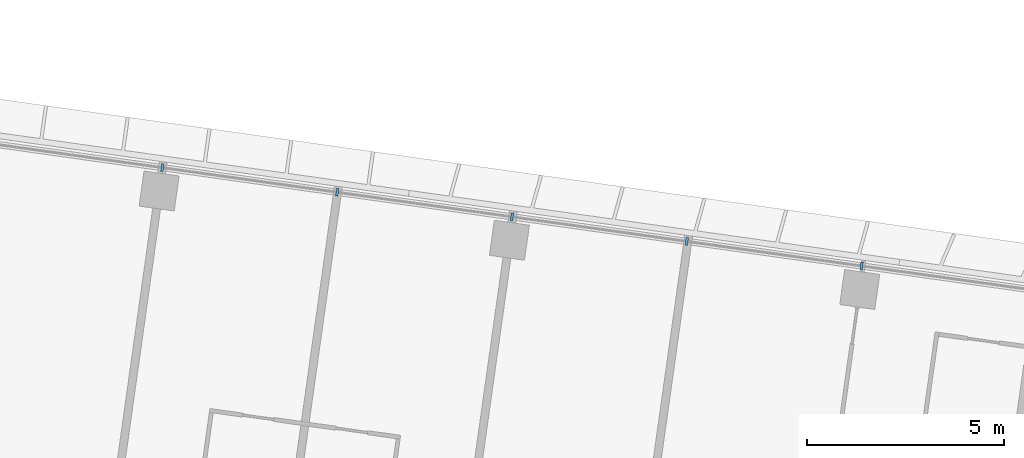
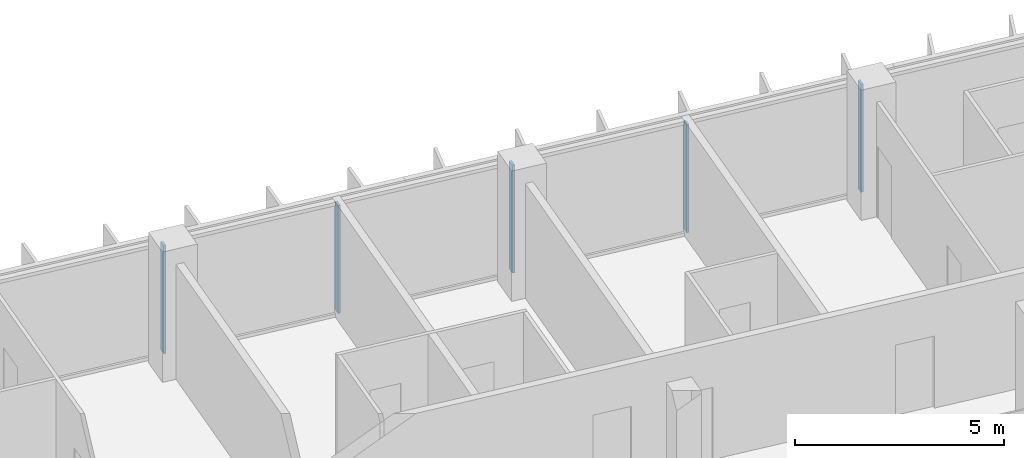
# One storey, part 5 of 25: 5 members, 1 element without a shape of its own.
"""IFC4 building model written with IfcOpenShell, lengths in metres."""

from ifc_helpers import new_model, si_unit, direction, frame, origin, origin_2d, place, context, subcontext, project, spatial, rectangle, extrude, material, material_profile, profile_set, type_object, element, aggregate, save


model = new_model("IFC4")

# Units and contexts
model_context = context("Model", 3, precision=1e-05, world=origin(), true_north=direction((0.0, 1.0)))
body_context = subcontext(model_context, "Body", "Model", "MODEL_VIEW")
ifc_project = project(units=[si_unit("LENGTHUNIT", "METRE"), si_unit("AREAUNIT", "SQUARE_METRE"), si_unit("VOLUMEUNIT", "CUBIC_METRE"), si_unit("PLANEANGLEUNIT", "RADIAN"), si_unit("MASSUNIT", "GRAM", prefix="KILO")], contexts=[model_context])

# Site, building, storey
site_placement = place(None, origin())
site = spatial("IfcSite", under=ifc_project, at=site_placement, CompositionType="ELEMENT")
building_placement = place(site_placement, origin())
building = spatial("IfcBuilding", under=site, at=building_placement, Name="Mirante Cascada Hotel Towers", CompositionType="ELEMENT")
storey_placement = place(building_placement, frame((0.0, 0.0, 102.5)))
storey = spatial("IfcBuildingStorey", under=building, at=storey_placement, Name="L22", CompositionType="ELEMENT", Elevation=102.5)

# Curtain wall, members
ifc_material_1 = material(Name="Aluminium mullion and transom frame with clear laminated glass", Category="aluminium")
curtain_wall_type = type_object("IfcCurtainWallType", Name="Ribbon curtain wall ECW1", PredefinedType="NOTDEFINED", material=ifc_material_1)
curtain_wall_placement = place(storey_placement, origin())
curtain_wall = element("IfcCurtainWall", 1, at=curtain_wall_placement, inside=storey, type_object=curtain_wall_type, Name="Front ribbon wall T1 L22", PredefinedType="NOTDEFINED")
ifc_material_2 = material(Name="Anodised aluminium extrusion", Category="aluminium")
ifc_material_profile = material_profile(ifc_material_2, rectangle(XDim=0.2, YDim=0.065, at=origin_2d()), Name="ECW1 MULLION 65x200")
ifc_profile_set = profile_set([ifc_material_profile], Name="Anodised aluminium extrusion")
member_type = type_object("IfcMemberType", Name="ECW1 mullion 65x200", PredefinedType="MULLION", material=ifc_profile_set)
member_1_placement = place(storey_placement, frame((-63.0262, 21.6768, 0.1), z_axis=(0.0, 0.0, 1.0), x_axis=(0.1391731, 0.9902681, 0.0)))
member_1 = element("IfcMember", 2, at=member_1_placement, type_object=member_type, Name="ECW1 mullion 8", PredefinedType="MULLION", context=body_context, shape_type="SweptSolid", body=[
    extrude(rectangle(XDim=0.2, YDim=0.065, at=origin_2d()), origin(), (0.0, 0.0, 1.0), 3.15),
])
member_2_placement = place(storey_placement, frame((-58.5788, 21.0517, 0.1), z_axis=(0.0, 0.0, 1.0), x_axis=(0.1391731, 0.9902681, 0.0)))
member_2 = element("IfcMember", 3, at=member_2_placement, type_object=member_type, Name="ECW1 mullion 9", PredefinedType="MULLION", context=body_context, shape_type="SweptSolid", body=[
    extrude(rectangle(XDim=0.2, YDim=0.065, at=origin_2d()), origin(), (0.0, 0.0, 1.0), 3.15),
])
member_3_placement = place(storey_placement, frame((-54.1314, 20.4267, 0.1), z_axis=(0.0, 0.0, 1.0), x_axis=(0.1391731, 0.9902681, 0.0)))
member_3 = element("IfcMember", 4, at=member_3_placement, type_object=member_type, Name="ECW1 mullion 10", PredefinedType="MULLION", context=body_context, shape_type="SweptSolid", body=[
    extrude(rectangle(XDim=0.2, YDim=0.065, at=origin_2d()), origin(), (0.0, 0.0, 1.0), 3.15),
])
member_4_placement = place(storey_placement, frame((-49.684, 19.8017, 0.1), z_axis=(0.0, 0.0, 1.0), x_axis=(0.1391731, 0.9902681, 0.0)))
member_4 = element("IfcMember", 5, at=member_4_placement, type_object=member_type, Name="ECW1 mullion 11", PredefinedType="MULLION", context=body_context, shape_type="SweptSolid", body=[
    extrude(rectangle(XDim=0.2, YDim=0.065, at=origin_2d()), origin(), (0.0, 0.0, 1.0), 3.15),
])
member_5_placement = place(storey_placement, frame((-45.2366, 19.1766, 0.1), z_axis=(0.0, 0.0, 1.0), x_axis=(0.1391731, 0.9902681, 0.0)))
member_5 = element("IfcMember", 6, at=member_5_placement, type_object=member_type, Name="ECW1 mullion 12", PredefinedType="MULLION", context=body_context, shape_type="SweptSolid", body=[
    extrude(rectangle(XDim=0.2, YDim=0.065, at=origin_2d()), origin(), (0.0, 0.0, 1.0), 3.15),
])
aggregate(curtain_wall, [member_1, member_2, member_3, member_4, member_5])

save(model, "model.ifc")
